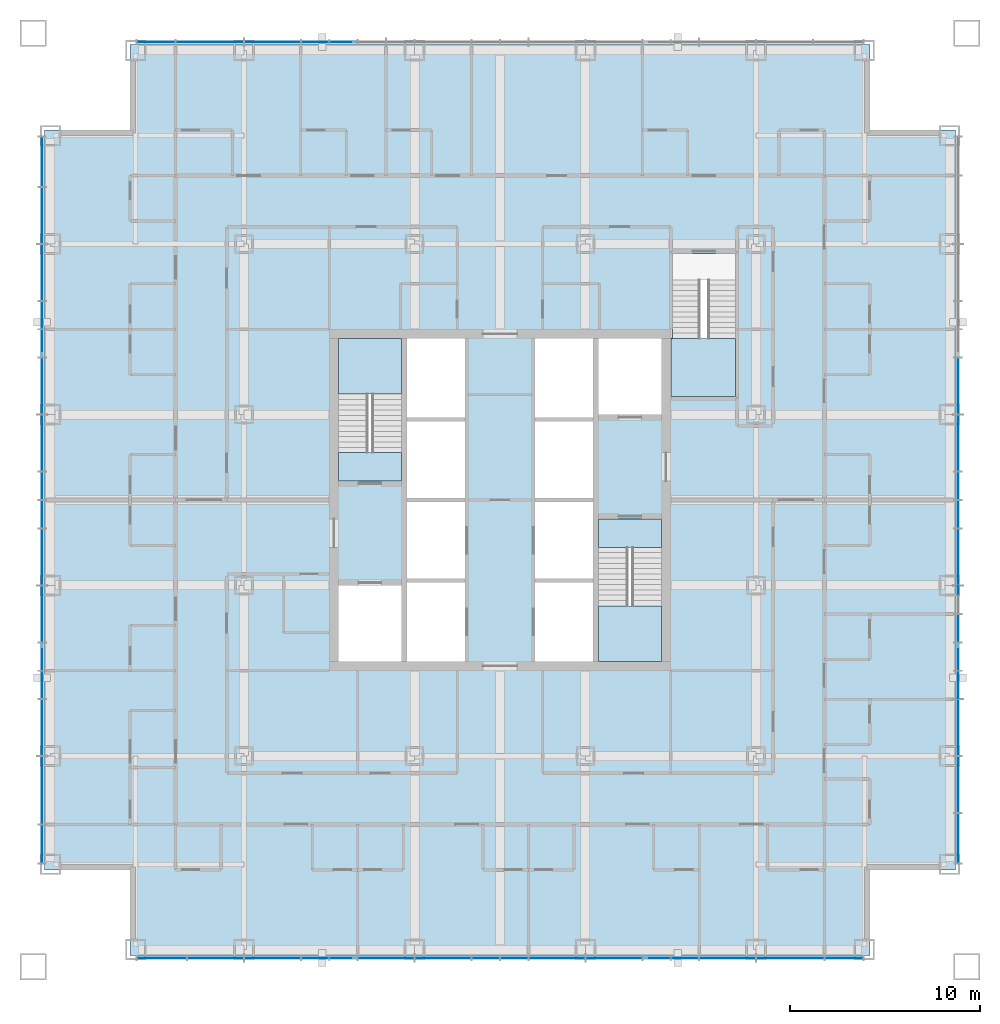
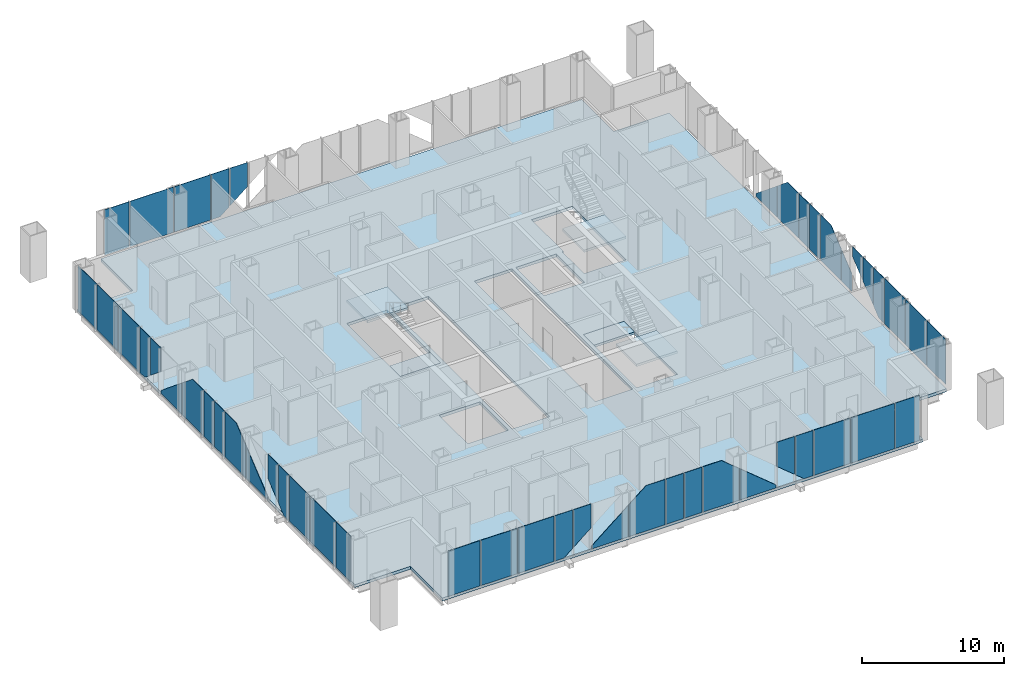
# One storey, part 7 of 18: 49 plates, 6 slabs, 7 elements without a shape of their own.
"""IFC4 building model written with IfcOpenShell, lengths in metres."""

from ifc_helpers import new_model, si_unit, direction, frame, origin, origin_2d, place, context, subcontext, project, spatial, polyline, rectangle, outline, extrude, material, layer, layer_set, type_object, element, aggregate, save


model = new_model("IFC4")

# Units and contexts
model_context = context("Model", 3, precision=1e-05, world=origin(), true_north=direction((0.0, 1.0)))
body_context = subcontext(model_context, "Body", "Model", "MODEL_VIEW")
ifc_project = project(units=[si_unit("LENGTHUNIT", "METRE"), si_unit("AREAUNIT", "SQUARE_METRE"), si_unit("VOLUMEUNIT", "CUBIC_METRE"), si_unit("PLANEANGLEUNIT", "RADIAN"), si_unit("MASSUNIT", "GRAM", prefix="KILO")], contexts=[model_context])

# Site, building, storey
site_placement = place(None, origin())
site = spatial("IfcSite", under=ifc_project, at=site_placement, CompositionType="ELEMENT")
building_placement = place(site_placement, origin())
building = spatial("IfcBuilding", under=site, at=building_placement, Name="Malebo Sky Hospital", CompositionType="ELEMENT")
storey_placement = place(building_placement, frame((0.0, 0.0, 112.0)))
storey = spatial("IfcBuildingStorey", under=building, at=storey_placement, Name="L26", CompositionType="ELEMENT", Elevation=112.0)

# Slab
ifc_material_1 = material(Name="Concrete C40/50", Category="concrete")
ifc_layer_1 = layer(ifc_material_1, 0.25)
ifc_layer_set_1 = layer_set([ifc_layer_1], Name="COMPOSITE FLOOR SLAB 250")
slab_type_1 = type_object("IfcSlabType", Name="COMPOSITE FLOOR SLAB 250", PredefinedType="FLOOR", material=ifc_layer_set_1)
slab_1_placement = place(storey_placement, frame((0.0, 0.0, -0.25)))
element("IfcSlab", 1, at=slab_1_placement, inside=storey, type_object=slab_type_1, Name="Floor slab L26", PredefinedType="FLOOR", context=body_context, shape_type="SweptSolid", body=[
    extrude(outline(polyline([(40.5, 86.0), (40.5, 81.5), (36.0, 81.5), (36.0, 42.5), (40.5, 42.5), (40.5, 38.0), (79.5, 38.0), (79.5, 42.5), (84.0, 42.5), (84.0, 81.5), (79.5, 81.5), (79.5, 86.0), (40.5, 86.0)]), holes=[polyline([(55.10009765625, 70.5), (58.14990234375, 70.5), (58.14990234375, 53.5), (55.10009765625, 53.5), (55.10009765625, 70.5)]), polyline([(64.89990234375, 70.5), (64.89990234375, 53.5), (61.85009765625, 53.5), (61.85009765625, 70.5), (64.89990234375, 70.5)]), polyline([(54.800048828125, 63.0), (51.5, 63.0), (51.5, 70.5), (54.800048828125, 70.5), (54.800048828125, 63.0)]), polyline([(51.5, 53.5), (51.5, 57.5), (54.800048828125, 57.5), (54.800048828125, 53.5), (51.5, 53.5)]), polyline([(65.199951171875, 61.0), (68.5, 61.0), (68.5, 53.5), (65.199951171875, 53.5), (65.199951171875, 61.0)]), polyline([(68.5, 70.5), (68.5, 66.5), (65.199951171875, 66.5), (65.199951171875, 70.5), (68.5, 70.5)]), polyline([(69.0, 67.449951171875), (69.0, 70.52001953125), (69.10009765625, 70.52001953125), (69.10009765625, 75.0), (72.39990234375, 75.0), (72.39990234375, 67.449951171875), (69.10009765625, 67.449951171875), (69.0, 67.449951171875)])]), origin(), (0.0, 0.0, 1.0), 0.25),
])

# Stair, slabs
stair_type_1 = type_object("IfcStairType", Name="HALF-TURN STAIR 1500 R167", PredefinedType="HALF_TURN_STAIR", material=ifc_material_1)
stair_1_placement = place(storey_placement, origin())
stair_1 = element("IfcStair", 2, at=stair_1_placement, inside=storey, type_object=stair_type_1, Name="Stair S1 L26 type ST1", PredefinedType="HALF_TURN_STAIR")
ifc_layer_2 = layer(ifc_material_1, 0.199951171875)
ifc_layer_set_2 = layer_set([ifc_layer_2], Name="STAIR LANDING 200")
slab_type_2 = type_object("IfcSlabType", Name="STAIR LANDING 200", PredefinedType="LANDING", material=ifc_layer_set_2)
slab_2_placement = place(storey_placement, frame((0.0, 0.0, -0.199951171875)))
slab_2 = element("IfcSlab", 3, at=slab_2_placement, type_object=slab_type_2, Name="S1 landing 1", PredefinedType="LANDING", context=body_context, shape_type="SweptSolid", body=[
    extrude(outline(polyline([(51.5, 63.0), (54.800048828125, 63.0), (54.800048828125, 64.5), (51.5, 64.5), (51.5, 63.0)])), origin(), (0.0, 0.0, 1.0), 0.199951171875),
])
slab_3_placement = place(storey_placement, frame((0.0, 0.0, 1.800048828125)))
slab_3 = element("IfcSlab", 4, at=slab_3_placement, type_object=slab_type_2, Name="S1 landing 2", PredefinedType="LANDING", context=body_context, shape_type="SweptSolid", body=[
    extrude(outline(polyline([(51.5, 67.580078125), (54.800048828125, 67.580078125), (54.800048828125, 70.5), (51.5, 70.5), (51.5, 67.580078125)])), origin(), (0.0, 0.0, 1.0), 0.199951171875),
])
aggregate(stair_1, [slab_2, slab_3])

stair_2_placement = place(storey_placement, origin())
stair_2 = element("IfcStair", 5, at=stair_2_placement, inside=storey, type_object=stair_type_1, Name="Stair S2 L26 type ST1", PredefinedType="HALF_TURN_STAIR")
slab_4_placement = place(storey_placement, frame((0.0, 0.0, -0.199951171875)))
slab_4 = element("IfcSlab", 6, at=slab_4_placement, type_object=slab_type_2, Name="S2 landing 1", PredefinedType="LANDING", context=body_context, shape_type="SweptSolid", body=[
    extrude(outline(polyline([(65.199951171875, 59.5), (68.5, 59.5), (68.5, 61.0), (65.199951171875, 61.0), (65.199951171875, 59.5)])), origin(), (0.0, 0.0, 1.0), 0.199951171875),
])
slab_5_placement = place(storey_placement, frame((0.0, 0.0, 1.800048828125)))
slab_5 = element("IfcSlab", 7, at=slab_5_placement, type_object=slab_type_2, Name="S2 landing 2", PredefinedType="LANDING", context=body_context, shape_type="SweptSolid", body=[
    extrude(outline(polyline([(65.199951171875, 53.5), (68.5, 53.5), (68.5, 56.419921875), (65.199951171875, 56.419921875), (65.199951171875, 53.5)])), origin(), (0.0, 0.0, 1.0), 0.199951171875),
])
aggregate(stair_2, [slab_4, slab_5])

# Stair, slab
stair_type_2 = type_object("IfcStairType", Name="HALF-TURN STAIR 1400 R167", PredefinedType="HALF_TURN_STAIR", material=ifc_material_1)
stair_3_placement = place(storey_placement, origin())
stair_3 = element("IfcStair", 8, at=stair_3_placement, inside=storey, type_object=stair_type_2, Name="Stair S3 L26 type ST1B", PredefinedType="HALF_TURN_STAIR")
slab_6_placement = place(storey_placement, frame((0.0, 0.0, 1.800048828125)))
slab_6 = element("IfcSlab", 9, at=slab_6_placement, type_object=slab_type_2, Name="S3 landing 2", PredefinedType="LANDING", context=body_context, shape_type="SweptSolid", body=[
    extrude(outline(polyline([(69.0, 67.449951171875), (72.39990234375, 67.449951171875), (72.39990234375, 70.52001953125), (69.0, 70.52001953125), (69.0, 67.449951171875)])), origin(), (0.0, 0.0, 1.0), 0.199951171875),
])
aggregate(stair_3, [slab_6])

# Curtain wall, plates
ifc_material_2 = material(Name="Anodised aluminium, natural silver", Category="aluminium")
ifc_layer_3 = layer(ifc_material_2, 0.25)
ifc_layer_set_3 = layer_set([ifc_layer_3], Name="WARD CURTAIN WALL NORTH AND SOUTH")
curtain_wall_type_1 = type_object("IfcCurtainWallType", Name="WARD CURTAIN WALL NORTH AND SOUTH", PredefinedType="NOTDEFINED", material=ifc_layer_set_3)
curtain_wall_1_placement = place(storey_placement, origin())
curtain_wall_1 = element("IfcCurtainWall", 10, at=curtain_wall_1_placement, inside=storey, type_object=curtain_wall_type_1, Name="NS curtain wall N", PredefinedType="NOTDEFINED")
ifc_material_3 = material(Name="Clear low-iron double glazing", Category="glass")
ifc_layer_4 = layer(ifc_material_3, 0.031982421875)
ifc_layer_set_4 = layer_set([ifc_layer_4], Name="VISION PANEL CLEAR 32")
plate_type = type_object("IfcPlateType", Name="VISION PANEL CLEAR 32", PredefinedType="CURTAIN_PANEL", material=ifc_layer_set_4)
plate_1_placement = place(storey_placement, frame((41.86865234375, 86.135009765625, 0.10009765625), z_axis=(0.0, 0.0, 1.0), x_axis=(1.0, 0.0, 0.0)))
plate_1 = element("IfcPlate", 11, at=plate_1_placement, type_object=plate_type, Name="Panel 1", PredefinedType="CURTAIN_PANEL", context=body_context, shape_type="SweptSolid", body=[
    extrude(rectangle(XDim=1.987548828125, YDim=0.031982421875, at=origin_2d()), origin(), (0.0, 0.0, 1.0), 3.889892578125),
])
plate_2_placement = place(storey_placement, frame((44.699951171875, 86.135009765625, 0.10009765625), z_axis=(0.0, 0.0, 1.0), x_axis=(1.0, 0.0, 0.0)))
plate_2 = element("IfcPlate", 12, at=plate_2_placement, type_object=plate_type, Name="Panel 2", PredefinedType="CURTAIN_PANEL", context=body_context, shape_type="SweptSolid", body=[
    extrude(rectangle(XDim=3.52490234375, YDim=0.031982421875, at=origin_2d()), origin(), (0.0, 0.0, 1.0), 3.889892578125),
])
plate_3_placement = place(storey_placement, frame((48.0, 86.135009765625, 0.10009765625), z_axis=(0.0, 0.0, 1.0), x_axis=(1.0, 0.0, 0.0)))
plate_3 = element("IfcPlate", 13, at=plate_3_placement, type_object=plate_type, Name="Panel 3", PredefinedType="CURTAIN_PANEL", context=body_context, shape_type="SweptSolid", body=[
    extrude(rectangle(XDim=2.925048828125, YDim=0.031982421875, at=origin_2d()), origin(), (0.0, 0.0, 1.0), 3.889892578125),
])
plate_4_placement = place(storey_placement, frame((50.25, 86.135009765625, 0.10009765625), z_axis=(0.0, 0.0, 1.0), x_axis=(1.0, 0.0, 0.0)))
plate_4 = element("IfcPlate", 14, at=plate_4_placement, type_object=plate_type, Name="Panel 4", PredefinedType="CURTAIN_PANEL", context=body_context, shape_type="SweptSolid", body=[
    extrude(outline(polyline([(-0.71240234375, 0.0), (0.000244140625, 0.0), (0.71240234375, 0.587158203125), (0.71240234375, 3.889892578125), (-0.71240234375, 3.889892578125), (-0.71240234375, 0.0)])), frame((0.0, 0.01611328125, 0.0), z_axis=(0.0, -1.0, 0.0), x_axis=(1.0, 0.0, 0.0)), (0.0, 0.0, 1.0), 0.031982421875),
])
plate_5_placement = place(storey_placement, frame((51.75, 86.135009765625, 0.748779296875), z_axis=(0.0, 0.0, 1.0), x_axis=(1.0, 0.0, 0.0)))
plate_5 = element("IfcPlate", 15, at=plate_5_placement, type_object=plate_type, Name="Panel 5", PredefinedType="CURTAIN_PANEL", context=body_context, shape_type="SweptSolid", body=[
    extrude(outline(polyline([(-0.71240234375, 0.0), (0.71240234375, 1.17431640625), (0.71240234375, 3.2412109375), (-0.71240234375, 3.2412109375), (-0.71240234375, 0.0)])), frame((0.0, 0.01611328125, 0.0), z_axis=(0.0, -1.0, 0.0), x_axis=(1.0, 0.0, 0.0)), (0.0, 0.0, 1.0), 0.031982421875),
])
aggregate(curtain_wall_1, [plate_1, plate_2, plate_3, plate_4, plate_5])

ifc_layer_5 = layer(ifc_material_2, 0.25)
ifc_layer_set_5 = layer_set([ifc_layer_5], Name="WARD CURTAIN WALL EAST AND WEST")
curtain_wall_type_2 = type_object("IfcCurtainWallType", Name="WARD CURTAIN WALL EAST AND WEST", PredefinedType="NOTDEFINED", material=ifc_layer_set_5)
curtain_wall_2_placement = place(storey_placement, origin())
curtain_wall_2 = element("IfcCurtainWall", 16, at=curtain_wall_2_placement, inside=storey, type_object=curtain_wall_type_2, Name="EW curtain wall W", PredefinedType="NOTDEFINED")
plate_6_placement = place(storey_placement, frame((35.864990234375, 43.86865234375, 0.10009765625), z_axis=(0.0, 0.0, 1.0), x_axis=(0.0, 1.0, 0.0)))
plate_6 = element("IfcPlate", 17, at=plate_6_placement, type_object=plate_type, Name="Panel 1", PredefinedType="CURTAIN_PANEL", context=body_context, shape_type="SweptSolid", body=[
    extrude(rectangle(XDim=1.987548828125, YDim=0.031982421875, at=origin_2d()), origin(), (0.0, 0.0, 1.0), 3.889892578125),
])
plate_7_placement = place(storey_placement, frame((35.864990234375, 46.699951171875, 0.10009765625), z_axis=(0.0, 0.0, 1.0), x_axis=(0.0, 1.0, 0.0)))
plate_7 = element("IfcPlate", 18, at=plate_7_placement, type_object=plate_type, Name="Panel 2", PredefinedType="CURTAIN_PANEL", context=body_context, shape_type="SweptSolid", body=[
    extrude(rectangle(XDim=3.52490234375, YDim=0.031982421875, at=origin_2d()), origin(), (0.0, 0.0, 1.0), 3.889892578125),
])
plate_8_placement = place(storey_placement, frame((35.864990234375, 50.0, 0.10009765625), z_axis=(0.0, 0.0, 1.0), x_axis=(0.0, 1.0, 0.0)))
plate_8 = element("IfcPlate", 19, at=plate_8_placement, type_object=plate_type, Name="Panel 3", PredefinedType="CURTAIN_PANEL", context=body_context, shape_type="SweptSolid", body=[
    extrude(rectangle(XDim=2.925048828125, YDim=0.031982421875, at=origin_2d()), origin(), (0.0, 0.0, 1.0), 3.889892578125),
])
plate_9_placement = place(storey_placement, frame((35.864990234375, 52.25, 0.10009765625), z_axis=(0.0, 0.0, 1.0), x_axis=(0.0, 1.0, 0.0)))
plate_9 = element("IfcPlate", 20, at=plate_9_placement, type_object=plate_type, Name="Panel 4", PredefinedType="CURTAIN_PANEL", context=body_context, shape_type="SweptSolid", body=[
    extrude(outline(polyline([(-0.71240234375, 0.0), (0.000244140625, 0.0), (0.71240234375, 0.587158203125), (0.71240234375, 3.889892578125), (-0.71240234375, 3.889892578125), (-0.71240234375, 0.0)])), frame((0.0, 0.01611328125, 0.0), z_axis=(0.0, -1.0, 0.0), x_axis=(1.0, 0.0, 0.0)), (0.0, 0.0, 1.0), 0.031982421875),
])
plate_10_placement = place(storey_placement, frame((35.864990234375, 53.75, 0.748779296875), z_axis=(0.0, 0.0, 1.0), x_axis=(0.0, 1.0, 0.0)))
plate_10 = element("IfcPlate", 21, at=plate_10_placement, type_object=plate_type, Name="Panel 5", PredefinedType="CURTAIN_PANEL", context=body_context, shape_type="SweptSolid", body=[
    extrude(outline(polyline([(-0.71240234375, 0.0), (0.71240234375, 1.17431640625), (0.71240234375, 3.2412109375), (-0.71240234375, 3.2412109375), (-0.71240234375, 0.0)])), frame((0.0, 0.01611328125, 0.0), z_axis=(0.0, -1.0, 0.0), x_axis=(1.0, 0.0, 0.0)), (0.0, 0.0, 1.0), 0.031982421875),
])
plate_11_placement = place(storey_placement, frame((35.864990234375, 56.0, 0.10009765625), z_axis=(0.0, 0.0, 1.0), x_axis=(0.0, 1.0, 0.0)))
plate_11 = element("IfcPlate", 22, at=plate_11_placement, type_object=plate_type, Name="Panel 6", PredefinedType="CURTAIN_PANEL", context=body_context, shape_type="SweptSolid", body=[
    extrude(outline(polyline([(-1.46240234375, 0.0), (1.46240234375, 0.0), (1.46240234375, 2.6748046875), (-1.46240234375, 0.263916015625), (-1.46240234375, 0.0)])), frame((0.0, 0.01611328125, 0.0), z_axis=(0.0, -1.0, 0.0), x_axis=(1.0, 0.0, 0.0)), (0.0, 0.0, 1.0), 0.031982421875),
])
plate_12_placement = place(storey_placement, frame((35.864990234375, 59.0, 0.10009765625), z_axis=(0.0, 0.0, 1.0), x_axis=(0.0, 1.0, 0.0)))
plate_12 = element("IfcPlate", 23, at=plate_12_placement, type_object=plate_type, Name="Panel 7", PredefinedType="CURTAIN_PANEL", context=body_context, shape_type="SweptSolid", body=[
    extrude(outline(polyline([(-1.46240234375, 0.0), (1.46240234375, 0.0), (1.46240234375, 3.889892578125), (-0.06298828125, 3.889892578125), (-1.46240234375, 2.736572265625), (-1.46240234375, 0.0)])), frame((0.0, 0.01611328125, 0.0), z_axis=(0.0, -1.0, 0.0), x_axis=(1.0, 0.0, 0.0)), (0.0, 0.0, 1.0), 0.031982421875),
])
plate_13_placement = place(storey_placement, frame((35.864990234375, 61.25, 0.10009765625), z_axis=(0.0, 0.0, 1.0), x_axis=(0.0, 1.0, 0.0)))
plate_13 = element("IfcPlate", 24, at=plate_13_placement, type_object=plate_type, Name="Panel 8", PredefinedType="CURTAIN_PANEL", context=body_context, shape_type="SweptSolid", body=[
    extrude(rectangle(XDim=1.425048828125, YDim=0.031982421875, at=origin_2d()), origin(), (0.0, 0.0, 1.0), 3.889892578125),
])
plate_14_placement = place(storey_placement, frame((35.864990234375, 62.75, 0.10009765625), z_axis=(0.0, 0.0, 1.0), x_axis=(0.0, 1.0, 0.0)))
plate_14 = element("IfcPlate", 25, at=plate_14_placement, type_object=plate_type, Name="Panel 9", PredefinedType="CURTAIN_PANEL", context=body_context, shape_type="SweptSolid", body=[
    extrude(rectangle(XDim=1.425048828125, YDim=0.031982421875, at=origin_2d()), origin(), (0.0, 0.0, 1.0), 3.889892578125),
])
plate_15_placement = place(storey_placement, frame((35.864990234375, 65.0, 0.10009765625), z_axis=(0.0, 0.0, 1.0), x_axis=(0.0, 1.0, 0.0)))
plate_15 = element("IfcPlate", 26, at=plate_15_placement, type_object=plate_type, Name="Panel 10", PredefinedType="CURTAIN_PANEL", context=body_context, shape_type="SweptSolid", body=[
    extrude(outline(polyline([(-1.46240234375, 0.0), (1.46240234375, 0.0), (1.46240234375, 2.736572265625), (0.06298828125, 3.889892578125), (-1.46240234375, 3.889892578125), (-1.46240234375, 0.0)])), frame((0.0, 0.01611328125, 0.0), z_axis=(0.0, -1.0, 0.0), x_axis=(1.0, 0.0, 0.0)), (0.0, 0.0, 1.0), 0.031982421875),
])
plate_16_placement = place(storey_placement, frame((35.864990234375, 68.0, 0.10009765625), z_axis=(0.0, 0.0, 1.0), x_axis=(0.0, 1.0, 0.0)))
plate_16 = element("IfcPlate", 27, at=plate_16_placement, type_object=plate_type, Name="Panel 11", PredefinedType="CURTAIN_PANEL", context=body_context, shape_type="SweptSolid", body=[
    extrude(outline(polyline([(-1.46240234375, 0.0), (1.46240234375, 0.0), (1.46240234375, 0.263916015625), (-1.46240234375, 2.6748046875), (-1.46240234375, 0.0)])), frame((0.0, 0.01611328125, 0.0), z_axis=(0.0, -1.0, 0.0), x_axis=(1.0, 0.0, 0.0)), (0.0, 0.0, 1.0), 0.031982421875),
])
plate_17_placement = place(storey_placement, frame((35.864990234375, 70.25, 0.748779296875), z_axis=(0.0, 0.0, 1.0), x_axis=(0.0, 1.0, 0.0)))
plate_17 = element("IfcPlate", 28, at=plate_17_placement, type_object=plate_type, Name="Panel 12", PredefinedType="CURTAIN_PANEL", context=body_context, shape_type="SweptSolid", body=[
    extrude(outline(polyline([(0.71240234375, 0.0), (0.71240234375, 3.2412109375), (-0.71240234375, 3.2412109375), (-0.71240234375, 1.17431640625), (0.71240234375, 0.0)])), frame((0.0, 0.01611328125, 0.0), z_axis=(0.0, -1.0, 0.0), x_axis=(1.0, 0.0, 0.0)), (0.0, 0.0, 1.0), 0.031982421875),
])
plate_18_placement = place(storey_placement, frame((35.864990234375, 71.75, 0.10009765625), z_axis=(0.0, 0.0, 1.0), x_axis=(0.0, 1.0, 0.0)))
plate_18 = element("IfcPlate", 29, at=plate_18_placement, type_object=plate_type, Name="Panel 13", PredefinedType="CURTAIN_PANEL", context=body_context, shape_type="SweptSolid", body=[
    extrude(outline(polyline([(-0.000244140625, 0.0), (0.71240234375, 0.0), (0.71240234375, 3.889892578125), (-0.71240234375, 3.889892578125), (-0.71240234375, 0.587158203125), (-0.000244140625, 0.0)])), frame((0.0, 0.01611328125, 0.0), z_axis=(0.0, -1.0, 0.0), x_axis=(1.0, 0.0, 0.0)), (0.0, 0.0, 1.0), 0.031982421875),
])
plate_19_placement = place(storey_placement, frame((35.864990234375, 74.0, 0.10009765625), z_axis=(0.0, 0.0, 1.0), x_axis=(0.0, 1.0, 0.0)))
plate_19 = element("IfcPlate", 30, at=plate_19_placement, type_object=plate_type, Name="Panel 14", PredefinedType="CURTAIN_PANEL", context=body_context, shape_type="SweptSolid", body=[
    extrude(rectangle(XDim=2.925048828125, YDim=0.031982421875, at=origin_2d()), origin(), (0.0, 0.0, 1.0), 3.889892578125),
])
plate_20_placement = place(storey_placement, frame((35.864990234375, 77.0, 0.10009765625), z_axis=(0.0, 0.0, 1.0), x_axis=(0.0, 1.0, 0.0)))
plate_20 = element("IfcPlate", 31, at=plate_20_placement, type_object=plate_type, Name="Panel 15", PredefinedType="CURTAIN_PANEL", context=body_context, shape_type="SweptSolid", body=[
    extrude(rectangle(XDim=2.925048828125, YDim=0.031982421875, at=origin_2d()), origin(), (0.0, 0.0, 1.0), 3.889892578125),
])
plate_21_placement = place(storey_placement, frame((35.864990234375, 79.831298828125, 0.10009765625), z_axis=(0.0, 0.0, 1.0), x_axis=(0.0, 1.0, 0.0)))
plate_21 = element("IfcPlate", 32, at=plate_21_placement, type_object=plate_type, Name="Panel 16", PredefinedType="CURTAIN_PANEL", context=body_context, shape_type="SweptSolid", body=[
    extrude(rectangle(XDim=2.58740234375, YDim=0.031982421875, at=origin_2d()), origin(), (0.0, 0.0, 1.0), 3.889892578125),
])
aggregate(curtain_wall_2, [plate_6, plate_7, plate_8, plate_9, plate_10, plate_11, plate_12, plate_13, plate_14, plate_15, plate_16, plate_17, plate_18, plate_19, plate_20, plate_21])

curtain_wall_3_placement = place(storey_placement, origin())
curtain_wall_3 = element("IfcCurtainWall", 33, at=curtain_wall_3_placement, inside=storey, type_object=curtain_wall_type_1, Name="NS curtain wall S", PredefinedType="NOTDEFINED")
plate_22_placement = place(storey_placement, frame((78.13134765625, 37.864990234375, 0.10009765625), z_axis=(0.0, 0.0, 1.0), x_axis=(-1.0, 0.0, 0.0)))
plate_22 = element("IfcPlate", 34, at=plate_22_placement, type_object=plate_type, Name="Panel 1", PredefinedType="CURTAIN_PANEL", context=body_context, shape_type="SweptSolid", body=[
    extrude(rectangle(XDim=1.987548828125, YDim=0.031982421875, at=origin_2d()), origin(), (0.0, 0.0, 1.0), 3.889892578125),
])
plate_23_placement = place(storey_placement, frame((75.300048828125, 37.864990234375, 0.10009765625), z_axis=(0.0, 0.0, 1.0), x_axis=(-1.0, 0.0, 0.0)))
plate_23 = element("IfcPlate", 35, at=plate_23_placement, type_object=plate_type, Name="Panel 2", PredefinedType="CURTAIN_PANEL", context=body_context, shape_type="SweptSolid", body=[
    extrude(rectangle(XDim=3.52490234375, YDim=0.031982421875, at=origin_2d()), origin(), (0.0, 0.0, 1.0), 3.889892578125),
])
plate_24_placement = place(storey_placement, frame((72.0, 37.864990234375, 0.10009765625), z_axis=(0.0, 0.0, 1.0), x_axis=(-1.0, 0.0, 0.0)))
plate_24 = element("IfcPlate", 36, at=plate_24_placement, type_object=plate_type, Name="Panel 3", PredefinedType="CURTAIN_PANEL", context=body_context, shape_type="SweptSolid", body=[
    extrude(rectangle(XDim=2.925048828125, YDim=0.031982421875, at=origin_2d()), origin(), (0.0, 0.0, 1.0), 3.889892578125),
])
plate_25_placement = place(storey_placement, frame((69.75, 37.864990234375, 0.10009765625), z_axis=(0.0, 0.0, 1.0), x_axis=(-1.0, 0.0, 0.0)))
plate_25 = element("IfcPlate", 37, at=plate_25_placement, type_object=plate_type, Name="Panel 4", PredefinedType="CURTAIN_PANEL", context=body_context, shape_type="SweptSolid", body=[
    extrude(outline(polyline([(-0.71240234375, 0.0), (0.000244140625, 0.0), (0.71240234375, 0.587158203125), (0.71240234375, 3.889892578125), (-0.71240234375, 3.889892578125), (-0.71240234375, 0.0)])), frame((0.0, 0.01611328125, 0.0), z_axis=(0.0, -1.0, 0.0), x_axis=(1.0, 0.0, 0.0)), (0.0, 0.0, 1.0), 0.031982421875),
])
plate_26_placement = place(storey_placement, frame((68.25, 37.864990234375, 0.748779296875), z_axis=(0.0, 0.0, 1.0), x_axis=(-1.0, 0.0, 0.0)))
plate_26 = element("IfcPlate", 38, at=plate_26_placement, type_object=plate_type, Name="Panel 5", PredefinedType="CURTAIN_PANEL", context=body_context, shape_type="SweptSolid", body=[
    extrude(outline(polyline([(-0.71240234375, 0.0), (0.71240234375, 1.17431640625), (0.71240234375, 3.2412109375), (-0.71240234375, 3.2412109375), (-0.71240234375, 0.0)])), frame((0.0, 0.01611328125, 0.0), z_axis=(0.0, -1.0, 0.0), x_axis=(1.0, 0.0, 0.0)), (0.0, 0.0, 1.0), 0.031982421875),
])
plate_27_placement = place(storey_placement, frame((66.0, 37.864990234375, 0.10009765625), z_axis=(0.0, 0.0, 1.0), x_axis=(-1.0, 0.0, 0.0)))
plate_27 = element("IfcPlate", 39, at=plate_27_placement, type_object=plate_type, Name="Panel 6", PredefinedType="CURTAIN_PANEL", context=body_context, shape_type="SweptSolid", body=[
    extrude(outline(polyline([(-1.46240234375, 0.0), (1.46240234375, 0.0), (1.46240234375, 2.6748046875), (-1.46240234375, 0.263916015625), (-1.46240234375, 0.0)])), frame((0.0, 0.01611328125, 0.0), z_axis=(0.0, -1.0, 0.0), x_axis=(1.0, 0.0, 0.0)), (0.0, 0.0, 1.0), 0.031982421875),
])
plate_28_placement = place(storey_placement, frame((63.0, 37.864990234375, 0.10009765625), z_axis=(0.0, 0.0, 1.0), x_axis=(-1.0, 0.0, 0.0)))
plate_28 = element("IfcPlate", 40, at=plate_28_placement, type_object=plate_type, Name="Panel 7", PredefinedType="CURTAIN_PANEL", context=body_context, shape_type="SweptSolid", body=[
    extrude(outline(polyline([(-1.46240234375, 0.0), (1.46240234375, 0.0), (1.46240234375, 3.889892578125), (-0.06298828125, 3.889892578125), (-1.46240234375, 2.736572265625), (-1.46240234375, 0.0)])), frame((0.0, 0.01611328125, 0.0), z_axis=(0.0, -1.0, 0.0), x_axis=(1.0, 0.0, 0.0)), (0.0, 0.0, 1.0), 0.031982421875),
])
plate_29_placement = place(storey_placement, frame((60.75, 37.864990234375, 0.10009765625), z_axis=(0.0, 0.0, 1.0), x_axis=(-1.0, 0.0, 0.0)))
plate_29 = element("IfcPlate", 41, at=plate_29_placement, type_object=plate_type, Name="Panel 8", PredefinedType="CURTAIN_PANEL", context=body_context, shape_type="SweptSolid", body=[
    extrude(rectangle(XDim=1.425048828125, YDim=0.031982421875, at=origin_2d()), origin(), (0.0, 0.0, 1.0), 3.889892578125),
])
plate_30_placement = place(storey_placement, frame((59.25, 37.864990234375, 0.10009765625), z_axis=(0.0, 0.0, 1.0), x_axis=(-1.0, 0.0, 0.0)))
plate_30 = element("IfcPlate", 42, at=plate_30_placement, type_object=plate_type, Name="Panel 9", PredefinedType="CURTAIN_PANEL", context=body_context, shape_type="SweptSolid", body=[
    extrude(rectangle(XDim=1.425048828125, YDim=0.031982421875, at=origin_2d()), origin(), (0.0, 0.0, 1.0), 3.889892578125),
])
plate_31_placement = place(storey_placement, frame((57.0, 37.864990234375, 0.10009765625), z_axis=(0.0, 0.0, 1.0), x_axis=(-1.0, 0.0, 0.0)))
plate_31 = element("IfcPlate", 43, at=plate_31_placement, type_object=plate_type, Name="Panel 10", PredefinedType="CURTAIN_PANEL", context=body_context, shape_type="SweptSolid", body=[
    extrude(outline(polyline([(-1.46240234375, 0.0), (1.46240234375, 0.0), (1.46240234375, 2.736572265625), (0.06298828125, 3.889892578125), (-1.46240234375, 3.889892578125), (-1.46240234375, 0.0)])), frame((0.0, 0.01611328125, 0.0), z_axis=(0.0, -1.0, 0.0), x_axis=(1.0, 0.0, 0.0)), (0.0, 0.0, 1.0), 0.031982421875),
])
plate_32_placement = place(storey_placement, frame((54.0, 37.864990234375, 0.10009765625), z_axis=(0.0, 0.0, 1.0), x_axis=(-1.0, 0.0, 0.0)))
plate_32 = element("IfcPlate", 44, at=plate_32_placement, type_object=plate_type, Name="Panel 11", PredefinedType="CURTAIN_PANEL", context=body_context, shape_type="SweptSolid", body=[
    extrude(outline(polyline([(-1.46240234375, 0.0), (1.46240234375, 0.0), (1.46240234375, 0.263916015625), (-1.46240234375, 2.6748046875), (-1.46240234375, 0.0)])), frame((0.0, 0.01611328125, 0.0), z_axis=(0.0, -1.0, 0.0), x_axis=(1.0, 0.0, 0.0)), (0.0, 0.0, 1.0), 0.031982421875),
])
plate_33_placement = place(storey_placement, frame((51.75, 37.864990234375, 0.748779296875), z_axis=(0.0, 0.0, 1.0), x_axis=(-1.0, 0.0, 0.0)))
plate_33 = element("IfcPlate", 45, at=plate_33_placement, type_object=plate_type, Name="Panel 12", PredefinedType="CURTAIN_PANEL", context=body_context, shape_type="SweptSolid", body=[
    extrude(outline(polyline([(0.71240234375, 0.0), (0.71240234375, 3.2412109375), (-0.71240234375, 3.2412109375), (-0.71240234375, 1.17431640625), (0.71240234375, 0.0)])), frame((0.0, 0.01611328125, 0.0), z_axis=(0.0, -1.0, 0.0), x_axis=(1.0, 0.0, 0.0)), (0.0, 0.0, 1.0), 0.031982421875),
])
plate_34_placement = place(storey_placement, frame((50.25, 37.864990234375, 0.10009765625), z_axis=(0.0, 0.0, 1.0), x_axis=(-1.0, 0.0, 0.0)))
plate_34 = element("IfcPlate", 46, at=plate_34_placement, type_object=plate_type, Name="Panel 13", PredefinedType="CURTAIN_PANEL", context=body_context, shape_type="SweptSolid", body=[
    extrude(outline(polyline([(-0.000244140625, 0.0), (0.71240234375, 0.0), (0.71240234375, 3.889892578125), (-0.71240234375, 3.889892578125), (-0.71240234375, 0.587158203125), (-0.000244140625, 0.0)])), frame((0.0, 0.01611328125, 0.0), z_axis=(0.0, -1.0, 0.0), x_axis=(1.0, 0.0, 0.0)), (0.0, 0.0, 1.0), 0.031982421875),
])
plate_35_placement = place(storey_placement, frame((48.0, 37.864990234375, 0.10009765625), z_axis=(0.0, 0.0, 1.0), x_axis=(-1.0, 0.0, 0.0)))
plate_35 = element("IfcPlate", 47, at=plate_35_placement, type_object=plate_type, Name="Panel 14", PredefinedType="CURTAIN_PANEL", context=body_context, shape_type="SweptSolid", body=[
    extrude(rectangle(XDim=2.925048828125, YDim=0.031982421875, at=origin_2d()), origin(), (0.0, 0.0, 1.0), 3.889892578125),
])
plate_36_placement = place(storey_placement, frame((45.0, 37.864990234375, 0.10009765625), z_axis=(0.0, 0.0, 1.0), x_axis=(-1.0, 0.0, 0.0)))
plate_36 = element("IfcPlate", 48, at=plate_36_placement, type_object=plate_type, Name="Panel 15", PredefinedType="CURTAIN_PANEL", context=body_context, shape_type="SweptSolid", body=[
    extrude(rectangle(XDim=2.925048828125, YDim=0.031982421875, at=origin_2d()), origin(), (0.0, 0.0, 1.0), 3.889892578125),
])
plate_37_placement = place(storey_placement, frame((42.168701171875, 37.864990234375, 0.10009765625), z_axis=(0.0, 0.0, 1.0), x_axis=(-1.0, 0.0, 0.0)))
plate_37 = element("IfcPlate", 49, at=plate_37_placement, type_object=plate_type, Name="Panel 16", PredefinedType="CURTAIN_PANEL", context=body_context, shape_type="SweptSolid", body=[
    extrude(rectangle(XDim=2.58740234375, YDim=0.031982421875, at=origin_2d()), origin(), (0.0, 0.0, 1.0), 3.889892578125),
])
aggregate(curtain_wall_3, [plate_22, plate_23, plate_24, plate_25, plate_26, plate_27, plate_28, plate_29, plate_30, plate_31, plate_32, plate_33, plate_34, plate_35, plate_36, plate_37])

curtain_wall_4_placement = place(storey_placement, origin())
curtain_wall_4 = element("IfcCurtainWall", 50, at=curtain_wall_4_placement, inside=storey, type_object=curtain_wall_type_2, Name="EW curtain wall E", PredefinedType="NOTDEFINED")
plate_38_placement = place(storey_placement, frame((84.135009765625, 68.0, 0.10009765625), z_axis=(0.0, 0.0, 1.0), x_axis=(0.0, -1.0, 0.0)))
plate_38 = element("IfcPlate", 51, at=plate_38_placement, type_object=plate_type, Name="Panel 6", PredefinedType="CURTAIN_PANEL", context=body_context, shape_type="SweptSolid", body=[
    extrude(outline(polyline([(-1.46240234375, 0.0), (1.46240234375, 0.0), (1.46240234375, 2.6748046875), (-1.46240234375, 0.263916015625), (-1.46240234375, 0.0)])), frame((0.0, 0.01611328125, 0.0), z_axis=(0.0, -1.0, 0.0), x_axis=(1.0, 0.0, 0.0)), (0.0, 0.0, 1.0), 0.031982421875),
])
plate_39_placement = place(storey_placement, frame((84.135009765625, 65.0, 0.10009765625), z_axis=(0.0, 0.0, 1.0), x_axis=(0.0, -1.0, 0.0)))
plate_39 = element("IfcPlate", 52, at=plate_39_placement, type_object=plate_type, Name="Panel 7", PredefinedType="CURTAIN_PANEL", context=body_context, shape_type="SweptSolid", body=[
    extrude(outline(polyline([(-1.46240234375, 0.0), (1.46240234375, 0.0), (1.46240234375, 3.889892578125), (-0.06298828125, 3.889892578125), (-1.46240234375, 2.736572265625), (-1.46240234375, 0.0)])), frame((0.0, 0.01611328125, 0.0), z_axis=(0.0, -1.0, 0.0), x_axis=(1.0, 0.0, 0.0)), (0.0, 0.0, 1.0), 0.031982421875),
])
plate_40_placement = place(storey_placement, frame((84.135009765625, 62.75, 0.10009765625), z_axis=(0.0, 0.0, 1.0), x_axis=(0.0, -1.0, 0.0)))
plate_40 = element("IfcPlate", 53, at=plate_40_placement, type_object=plate_type, Name="Panel 8", PredefinedType="CURTAIN_PANEL", context=body_context, shape_type="SweptSolid", body=[
    extrude(rectangle(XDim=1.425048828125, YDim=0.031982421875, at=origin_2d()), origin(), (0.0, 0.0, 1.0), 3.889892578125),
])
plate_41_placement = place(storey_placement, frame((84.135009765625, 61.25, 0.10009765625), z_axis=(0.0, 0.0, 1.0), x_axis=(0.0, -1.0, 0.0)))
plate_41 = element("IfcPlate", 54, at=plate_41_placement, type_object=plate_type, Name="Panel 9", PredefinedType="CURTAIN_PANEL", context=body_context, shape_type="SweptSolid", body=[
    extrude(rectangle(XDim=1.425048828125, YDim=0.031982421875, at=origin_2d()), origin(), (0.0, 0.0, 1.0), 3.889892578125),
])
plate_42_placement = place(storey_placement, frame((84.135009765625, 59.0, 0.10009765625), z_axis=(0.0, 0.0, 1.0), x_axis=(0.0, -1.0, 0.0)))
plate_42 = element("IfcPlate", 55, at=plate_42_placement, type_object=plate_type, Name="Panel 10", PredefinedType="CURTAIN_PANEL", context=body_context, shape_type="SweptSolid", body=[
    extrude(outline(polyline([(-1.46240234375, 0.0), (1.46240234375, 0.0), (1.46240234375, 2.736572265625), (0.06298828125, 3.889892578125), (-1.46240234375, 3.889892578125), (-1.46240234375, 0.0)])), frame((0.0, 0.01611328125, 0.0), z_axis=(0.0, -1.0, 0.0), x_axis=(1.0, 0.0, 0.0)), (0.0, 0.0, 1.0), 0.031982421875),
])
plate_43_placement = place(storey_placement, frame((84.135009765625, 56.75, 0.10009765625), z_axis=(0.0, 0.0, 1.0), x_axis=(0.0, -1.0, 0.0)))
plate_43 = element("IfcPlate", 56, at=plate_43_placement, type_object=plate_type, Name="Panel 11", PredefinedType="CURTAIN_PANEL", context=body_context, shape_type="SweptSolid", body=[
    extrude(outline(polyline([(-0.71240234375, 0.0), (0.71240234375, 0.0), (0.71240234375, 1.500244140625), (-0.71240234375, 2.6748046875), (-0.71240234375, 0.0)])), frame((0.0, 0.01611328125, 0.0), z_axis=(0.0, -1.0, 0.0), x_axis=(1.0, 0.0, 0.0)), (0.0, 0.0, 1.0), 0.031982421875),
])
plate_44_placement = place(storey_placement, frame((84.135009765625, 55.25, 1.985107421875), z_axis=(0.0, 0.0, 1.0), x_axis=(0.0, -1.0, 0.0)))
plate_44 = element("IfcPlate", 57, at=plate_44_placement, type_object=plate_type, Name="Panel 12", PredefinedType="CURTAIN_PANEL", context=body_context, shape_type="SweptSolid", body=[
    extrude(outline(polyline([(0.71240234375, 0.0), (0.71240234375, 2.0048828125), (-0.71240234375, 2.0048828125), (-0.71240234375, 1.17431640625), (0.71240234375, 0.0)])), frame((0.0, 0.01611328125, 0.0), z_axis=(0.0, -1.0, 0.0), x_axis=(1.0, 0.0, 0.0)), (0.0, 0.0, 1.0), 0.031982421875),
])
plate_45_placement = place(storey_placement, frame((84.135009765625, 53.75, 0.748779296875), z_axis=(0.0, 0.0, 1.0), x_axis=(0.0, -1.0, 0.0)))
plate_45 = element("IfcPlate", 58, at=plate_45_placement, type_object=plate_type, Name="Panel 13", PredefinedType="CURTAIN_PANEL", context=body_context, shape_type="SweptSolid", body=[
    extrude(outline(polyline([(0.71240234375, 0.0), (0.71240234375, 3.2412109375), (-0.71240234375, 3.2412109375), (-0.71240234375, 1.17431640625), (0.71240234375, 0.0)])), frame((0.0, 0.01611328125, 0.0), z_axis=(0.0, -1.0, 0.0), x_axis=(1.0, 0.0, 0.0)), (0.0, 0.0, 1.0), 0.031982421875),
])
plate_46_placement = place(storey_placement, frame((84.135009765625, 52.25, 0.10009765625), z_axis=(0.0, 0.0, 1.0), x_axis=(0.0, -1.0, 0.0)))
plate_46 = element("IfcPlate", 59, at=plate_46_placement, type_object=plate_type, Name="Panel 14", PredefinedType="CURTAIN_PANEL", context=body_context, shape_type="SweptSolid", body=[
    extrude(outline(polyline([(-0.000244140625, 0.0), (0.71240234375, 0.0), (0.71240234375, 3.889892578125), (-0.71240234375, 3.889892578125), (-0.71240234375, 0.587158203125), (-0.000244140625, 0.0)])), frame((0.0, 0.01611328125, 0.0), z_axis=(0.0, -1.0, 0.0), x_axis=(1.0, 0.0, 0.0)), (0.0, 0.0, 1.0), 0.031982421875),
])
plate_47_placement = place(storey_placement, frame((84.135009765625, 50.0, 0.10009765625), z_axis=(0.0, 0.0, 1.0), x_axis=(0.0, -1.0, 0.0)))
plate_47 = element("IfcPlate", 60, at=plate_47_placement, type_object=plate_type, Name="Panel 15", PredefinedType="CURTAIN_PANEL", context=body_context, shape_type="SweptSolid", body=[
    extrude(rectangle(XDim=2.925048828125, YDim=0.031982421875, at=origin_2d()), origin(), (0.0, 0.0, 1.0), 3.889892578125),
])
plate_48_placement = place(storey_placement, frame((84.135009765625, 47.0, 0.10009765625), z_axis=(0.0, 0.0, 1.0), x_axis=(0.0, -1.0, 0.0)))
plate_48 = element("IfcPlate", 61, at=plate_48_placement, type_object=plate_type, Name="Panel 16", PredefinedType="CURTAIN_PANEL", context=body_context, shape_type="SweptSolid", body=[
    extrude(rectangle(XDim=2.925048828125, YDim=0.031982421875, at=origin_2d()), origin(), (0.0, 0.0, 1.0), 3.889892578125),
])
plate_49_placement = place(storey_placement, frame((84.135009765625, 44.168701171875, 0.10009765625), z_axis=(0.0, 0.0, 1.0), x_axis=(0.0, -1.0, 0.0)))
plate_49 = element("IfcPlate", 62, at=plate_49_placement, type_object=plate_type, Name="Panel 17", PredefinedType="CURTAIN_PANEL", context=body_context, shape_type="SweptSolid", body=[
    extrude(rectangle(XDim=2.58740234375, YDim=0.031982421875, at=origin_2d()), origin(), (0.0, 0.0, 1.0), 3.889892578125),
])
aggregate(curtain_wall_4, [plate_38, plate_39, plate_40, plate_41, plate_42, plate_43, plate_44, plate_45, plate_46, plate_47, plate_48, plate_49])

save(model, "model.ifc")
